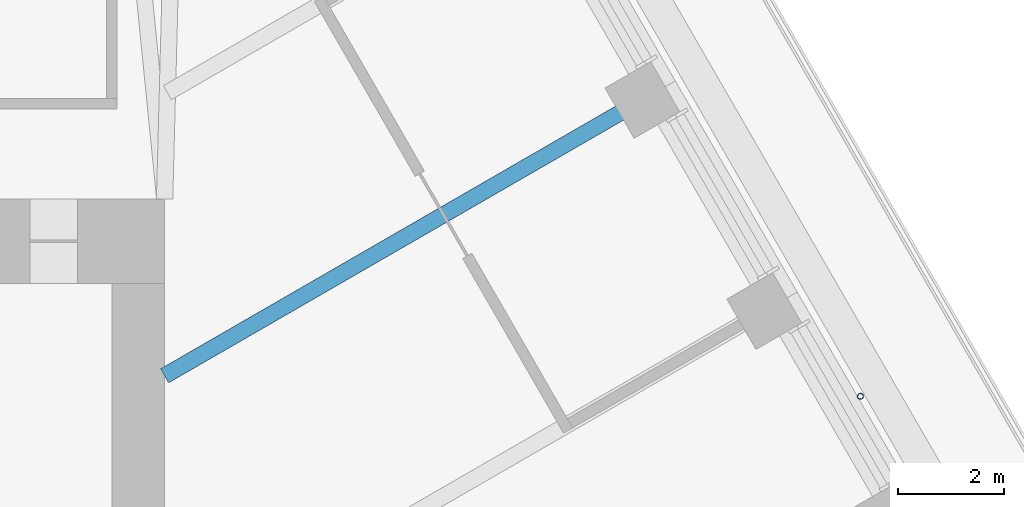
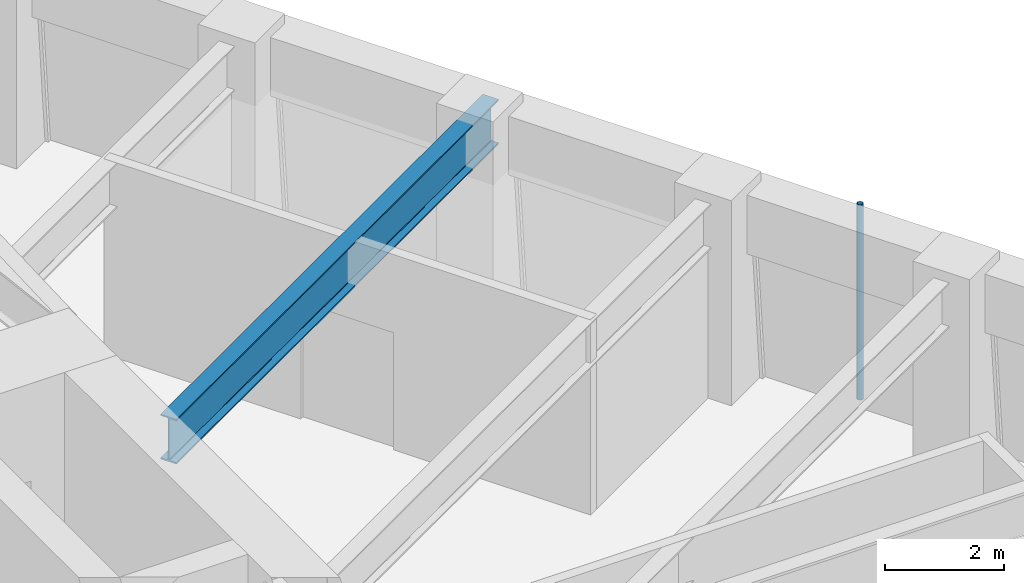
# One storey, part 10 of 20: 1 beam, 1 member.
"""IFC4 building model written with IfcOpenShell, lengths in metres."""

from ifc_helpers import new_model, si_unit, direction, frame, origin, origin_2d, place, context, subcontext, project, spatial, hollow_circle, i_section, extrude, material, material_profile, profile_set, type_object, element, save


model = new_model("IFC4")

# Units and contexts
model_context = context("Model", 3, precision=1e-05, world=origin(), true_north=direction((0.0, 1.0)))
body_context = subcontext(model_context, "Body", "Model", "MODEL_VIEW")
ifc_project = project(units=[si_unit("LENGTHUNIT", "METRE"), si_unit("AREAUNIT", "SQUARE_METRE"), si_unit("VOLUMEUNIT", "CUBIC_METRE"), si_unit("PLANEANGLEUNIT", "RADIAN"), si_unit("MASSUNIT", "GRAM", prefix="KILO")], contexts=[model_context])

# Site, building, storey
site_placement = place(None, origin())
site = spatial("IfcSite", under=ifc_project, at=site_placement, CompositionType="ELEMENT")
building_placement = place(site_placement, origin())
building = spatial("IfcBuilding", under=site, at=building_placement, Name="Tarfa Lantern Tower", CompositionType="ELEMENT")
storey_placement = place(building_placement, frame((0.0, 0.0, 282.699951171875)))
storey = spatial("IfcBuildingStorey", under=building, at=storey_placement, Name="L64", CompositionType="ELEMENT", Elevation=282.699951171875)

# Member
ifc_material_1 = material(Name="Steel S355", Category="steel")
ifc_material_profile_1 = material_profile(ifc_material_1, hollow_circle(Radius=0.05712890625, WallThickness=0.00634765625, at=origin_2d()), Name="CHS114.3x6.3")
ifc_profile_set_1 = profile_set([ifc_material_profile_1], Name="Steel S355")
member_type = type_object("IfcMemberType", Name="TR1 GREEN WALL TRELLIS CHS114.3x6.3", PredefinedType="USERDEFINED", material=ifc_profile_set_1)
member_placement = place(storey_placement, frame((28.682861328125, 8.56005859375, 0.0), z_axis=(0.0, 0.0, 1.0), x_axis=(1.0, 0.0, 0.0)))
element("IfcMember", 1, at=member_placement, inside=storey, type_object=member_type, Name="Trellis post NE 1", ObjectType="TRELLIS", PredefinedType="USERDEFINED", context=body_context, shape_type="SweptSolid", body=[
    extrude(hollow_circle(Radius=0.05712890625, WallThickness=0.00634765625, at=origin_2d()), origin(), (0.0, 0.0, 1.0), 4.0),
])

# Beam
ifc_material_2 = material(Name="Steel S460M", Category="steel")
ifc_material_profile_2 = material_profile(ifc_material_2, i_section(OverallWidth=0.305419921875, OverallDepth=0.91845703125, WebThickness=0.017333984375, FlangeThickness=0.02783203125, FilletRadius=0.01904296875, at=origin_2d()), Name="UB914x305x253")
ifc_profile_set_2 = profile_set([ifc_material_profile_2], Name="Steel S460M")
beam_type = type_object("IfcBeamType", Name="UB914x305x253", PredefinedType="BEAM", material=ifc_profile_set_2)
beam_placement = place(storey_placement, frame((24.872314453125, 14.360107421875, 3.540771484375), z_axis=(-0.8660244219, -0.500001700669, 0.0), x_axis=(0.500001700669, -0.8660244219, 0.0)))
element("IfcBeam", 2, at=beam_placement, inside=storey, type_object=beam_type, Name="Floor beam NE3", PredefinedType="BEAM", context=body_context, shape_type="SweptSolid", body=[
    extrude(i_section(OverallWidth=0.305419921875, OverallDepth=0.91845703125, WebThickness=0.017333984375, FlangeThickness=0.02783203125, FilletRadius=0.01904296875, at=origin_2d()), origin(), (0.0, 0.0, 1.0), 10.822265625),
])

save(model, "model.ifc")
